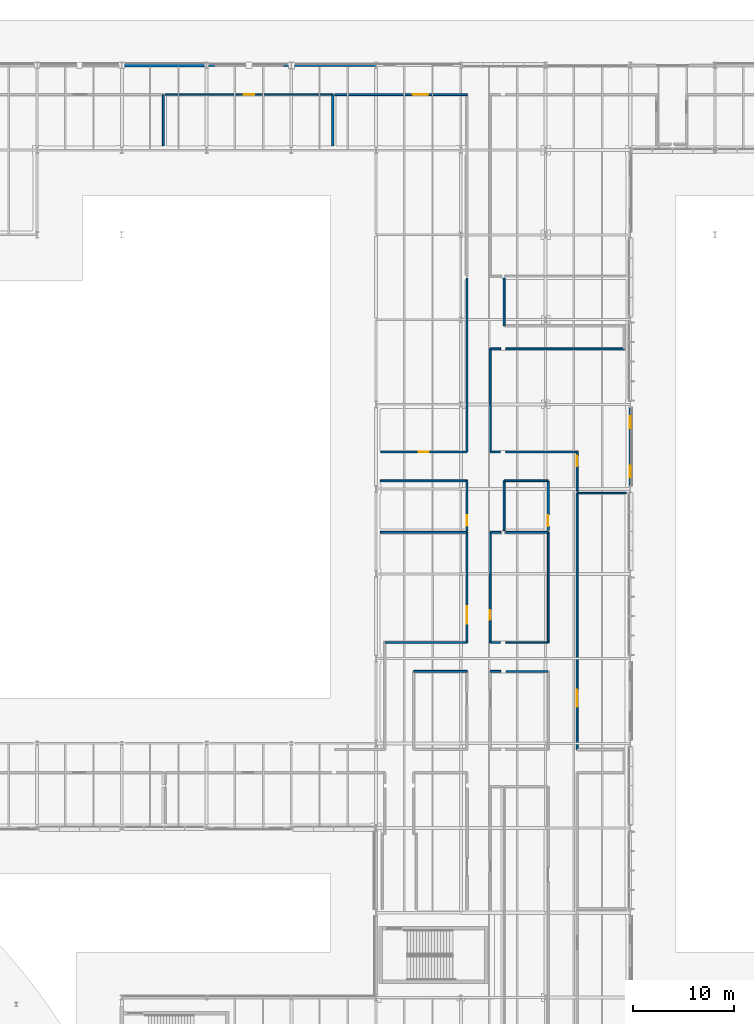
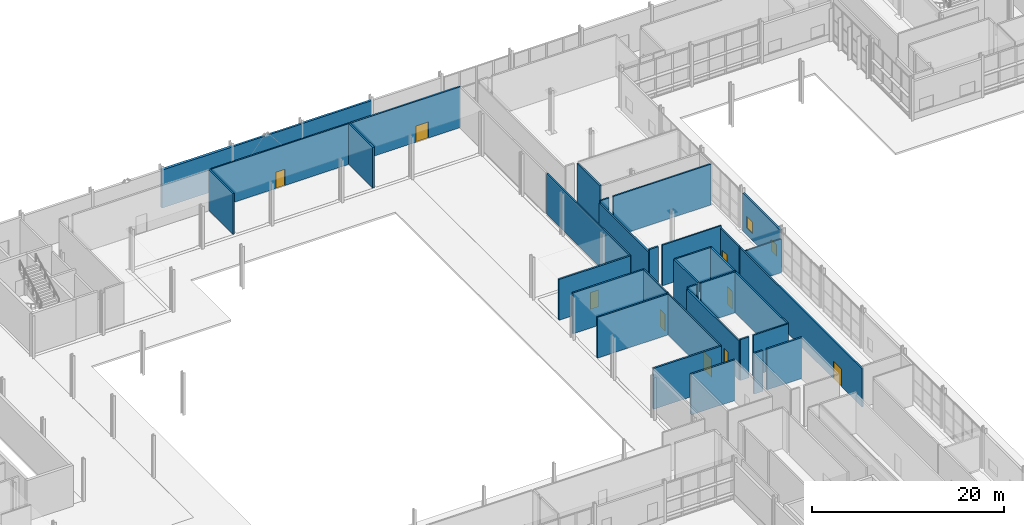
# One storey, part 90 of 124: 36 walls, 9 doors, 2 windows, 11 openings.
"""IFC4 building model written with IfcOpenShell, lengths in metres."""

from ifc_helpers import new_model, si_unit, direction, frame, frame_2d, origin, place, context, subcontext, project, spatial, rectangle, extrude, material, layer, layer_set, type_object, element, fill, save


model = new_model("IFC4")

# Units and contexts
model_context = context("Model", 3, precision=1e-05, world=origin(), true_north=direction((0.0, 1.0)))
body_context = subcontext(model_context, "Body", "Model", "MODEL_VIEW")
ifc_project = project(units=[si_unit("LENGTHUNIT", "METRE"), si_unit("AREAUNIT", "SQUARE_METRE"), si_unit("VOLUMEUNIT", "CUBIC_METRE"), si_unit("PLANEANGLEUNIT", "RADIAN"), si_unit("MASSUNIT", "GRAM", prefix="KILO")], contexts=[model_context])

# Site, building, storey
site_placement = place(None, origin())
site = spatial("IfcSite", under=ifc_project, at=site_placement, CompositionType="ELEMENT")
building_placement = place(site_placement, origin())
building = spatial("IfcBuilding", under=site, at=building_placement, Name="Mersafa Astral City Hall", CompositionType="ELEMENT")
storey_placement = place(building_placement, origin())
storey = spatial("IfcBuildingStorey", under=building, at=storey_placement, Name="L00", CompositionType="ELEMENT", Elevation=0.0)

# Wall
ifc_material_1 = material(Name="Precast concrete C40/50 insulated terracotta spandrel", Category="masonry")
ifc_layer_1 = layer(ifc_material_1, 0.235107421875, Name="Precast concrete C40/50 insulated terracotta spandrel")
ifc_layer_set_1 = layer_set([ifc_layer_1], Name="Precast concrete C40/50 insulated terracotta spandrel — ENV-WAL-EXT-235")
wall_type_1 = type_object("IfcWallType", Name="ENV-WAL-EXT-235", PredefinedType="STANDARD", material=ifc_layer_set_1)
wall_1_placement = place(storey_placement, frame((83.991943359375, 126.0, 0.0), z_axis=(0.0, 0.0, 1.0), x_axis=(-1.0, 0.0, 0.0)))
element("IfcWall", 1, at=wall_1_placement, inside=storey, type_object=wall_type_1, Name="L00 Limestone-clad exterior wall 47", PredefinedType="STANDARD", context=body_context, shape_type="SweptSolid", body=[
    extrude(rectangle(XDim=8.384033203125, YDim=0.235107421875, at=frame_2d((4.19189453125, 0.0))), origin(), (0.0, 0.0, 1.0), 4.797119140625),
])

# Wall, openings, windows
ifc_layer_2 = layer(ifc_material_1, 0.25, Name="Precast concrete C40/50 insulated terracotta spandrel")
ifc_layer_set_2 = layer_set([ifc_layer_2], Name="Precast concrete C40/50 insulated terracotta spandrel — ENV-WAL-EXT-250")
wall_type_2 = type_object("IfcWallType", Name="ENV-WAL-EXT-250", PredefinedType="STANDARD", material=ifc_layer_set_2)
wall_2_placement = place(storey_placement, frame((117.60009765625, 84.321044921875, 0.0), z_axis=(0.0, 0.0, 1.0), x_axis=(0.0, 1.0, 0.0)))
wall_2 = element("IfcWall", 2, at=wall_2_placement, inside=storey, type_object=wall_type_2, Name="L00 Limestone-clad exterior wall 22", PredefinedType="STANDARD", context=body_context, shape_type="SweptSolid", body=[
    extrude(rectangle(XDim=7.758056640625, YDim=0.25, at=frame_2d((3.87890625, 0.0))), origin(), (0.0, 0.0, 1.0), 4.797119140625),
])
opening_1_placement = place(wall_2_placement, frame((0.85009765625, 0.0, 0.89990234375)))
opening_1 = element("IfcOpeningElement", 3, at=opening_1_placement, cuts=wall_2, Name="Opening W-22", PredefinedType="OPENING", context=body_context, shape_type="SweptSolid", body=[
    extrude(rectangle(XDim=1.1201171875, YDim=1.449951171875, at=frame_2d((0.56005859375, 0.72509765625))), frame((0.0, 0.135009765625, 0.0), z_axis=(0.0, -1.0, 0.0), x_axis=(1.0, 0.0, 0.0)), (0.0, 0.0, 1.0), 0.27001953125),
])
opening_2_placement = place(wall_2_placement, frame((5.68798828125, 0.0, 0.89990234375)))
opening_2 = element("IfcOpeningElement", 4, at=opening_2_placement, cuts=wall_2, Name="Opening W-23", PredefinedType="OPENING", context=body_context, shape_type="SweptSolid", body=[
    extrude(rectangle(XDim=1.219970703125, YDim=1.449951171875, at=frame_2d((0.60986328125, 0.72509765625))), frame((0.0, 0.135009765625, 0.0), z_axis=(0.0, -1.0, 0.0), x_axis=(1.0, 0.0, 0.0)), (0.0, 0.0, 1.0), 0.27001953125),
])
ifc_material_2 = material(Name="Solar control low-e double glazing in bronze frame", Category="glass")
window_type_1 = type_object("IfcWindowType", Name="ENV-WIN-W-22", PartitioningType="SINGLE_PANEL", PredefinedType="WINDOW", material=ifc_material_2)
window_1_placement = place(opening_1_placement, origin())
window_1 = element("IfcWindow", 5, at=window_1_placement, inside=storey, type_object=window_type_1, Name="L00 Solar punched window 22-L", OverallHeight=1.449951171875, OverallWidth=1.1201171875, PartitioningType="SINGLE_PANEL", PredefinedType="WINDOW", context=body_context, shape_type="SweptSolid", body=[
    extrude(rectangle(XDim=1.1201171875, YDim=1.449951171875, at=frame_2d((0.56005859375, 0.72509765625))), frame((0.0, 0.030029296875, 0.0), z_axis=(0.0, -1.0, 0.0), x_axis=(1.0, 0.0, 0.0)), (0.0, 0.0, 1.0), 0.06005859375),
])
fill(opening_1, window_1)
window_type_2 = type_object("IfcWindowType", Name="ENV-WIN-W-23", PartitioningType="SINGLE_PANEL", PredefinedType="WINDOW", material=ifc_material_2)
window_2_placement = place(opening_2_placement, origin())
window_2 = element("IfcWindow", 6, at=window_2_placement, inside=storey, type_object=window_type_2, Name="L00 Solar punched window 22-R", OverallHeight=1.449951171875, OverallWidth=1.219970703125, PartitioningType="SINGLE_PANEL", PredefinedType="WINDOW", context=body_context, shape_type="SweptSolid", body=[
    extrude(rectangle(XDim=1.219970703125, YDim=1.449951171875, at=frame_2d((0.60986328125, 0.72509765625))), frame((0.0, 0.030029296875, 0.0), z_axis=(0.0, -1.0, 0.0), x_axis=(1.0, 0.0, 0.0)), (0.0, 0.0, 1.0), 0.06005859375),
])
fill(opening_2, window_2)

# Walls
wall_3_placement = place(storey_placement, frame((92.39208984375, 126.0, 0.0), z_axis=(0.0, 0.0, 1.0), x_axis=(-1.0, 0.0, 0.0)))
element("IfcWall", 7, at=wall_3_placement, inside=storey, type_object=wall_type_2, Name="L00 Limestone-clad exterior wall 46", PredefinedType="STANDARD", context=body_context, shape_type="SweptSolid", body=[
    extrude(rectangle(XDim=8.384033203125, YDim=0.25, at=frame_2d((4.19189453125, 0.0))), origin(), (0.0, 0.0, 1.0), 4.826904296875),
])
ifc_material_3 = material(Name="Precast concrete C40/50 insulated limestone wall", Category="masonry")
ifc_layer_3 = layer(ifc_material_3, 0.31005859375, Name="Precast concrete C40/50 insulated limestone wall")
ifc_layer_set_3 = layer_set([ifc_layer_3], Name="Precast concrete C40/50 insulated limestone wall — ENV-WAL-EXT-310")
wall_type_3 = type_object("IfcWallType", Name="ENV-WAL-EXT-310", PredefinedType="STANDARD", material=ifc_layer_set_3)
wall_4_placement = place(storey_placement, frame((75.592041015625, 126.0, 0.0), z_axis=(0.0, 0.0, 1.0), x_axis=(-1.0, 0.0, 0.0)))
element("IfcWall", 8, at=wall_4_placement, inside=storey, type_object=wall_type_3, Name="L00 Limestone-clad exterior wall 48", PredefinedType="STANDARD", context=body_context, shape_type="SweptSolid", body=[
    extrude(rectangle(XDim=8.384033203125, YDim=0.31005859375, at=frame_2d((4.19189453125, 0.0))), origin(), (0.0, 0.0, 1.0), 4.826904296875),
])
ifc_material_4 = material(Name="Fire-rated gypsum stud partition", Category="gypsum")
ifc_layer_4 = layer(ifc_material_4, 0.1650390625, Name="Fire-rated gypsum stud partition")
ifc_layer_set_4 = layer_set([ifc_layer_4], Name="Fire-rated gypsum stud partition — INT-WAL-PART-EI60-165")
wall_type_4 = type_object("IfcWallType", Name="INT-WAL-PART-EI60-165", PredefinedType="STANDARD", material=ifc_layer_set_4)
wall_5_placement = place(storey_placement, frame((112.330078125, 83.60009765625, -0.00390625), z_axis=(0.0, 0.0, 1.0), x_axis=(1.0, 0.0, 0.0)))
element("IfcWall", 9, at=wall_5_placement, inside=storey, type_object=wall_type_4, Name="L00 Interior partition wall 115", PredefinedType="STANDARD", context=body_context, shape_type="SweptSolid", body=[
    extrude(rectangle(XDim=4.849853515625, YDim=0.1650390625, at=frame_2d((2.4248046875, 0.0))), origin(), (0.0, 0.0, 1.0), 4.260986328125),
])
wall_6_placement = place(storey_placement, frame((112.330078125, 87.679931640625, -0.00390625), z_axis=(0.0, 0.0, 1.0), x_axis=(-1.0, 0.0, 0.0)))
element("IfcWall", 10, at=wall_6_placement, inside=storey, type_object=wall_type_4, Name="L00 Interior partition wall 135", PredefinedType="STANDARD", context=body_context, shape_type="SweptSolid", body=[
    extrude(rectangle(XDim=7.070068359375, YDim=0.1650390625, at=frame_2d((3.53515625, 0.0))), origin(), (0.0, 0.0, 1.0), 5.178955078125),
])

# Wall, opening, door
wall_7_placement = place(storey_placement, frame((101.419921875, 79.7099609375, -0.00390625), z_axis=(0.0, 0.0, 1.0), x_axis=(0.0, -1.0, 0.0)))
wall_7 = element("IfcWall", 11, at=wall_7_placement, inside=storey, type_object=wall_type_4, Name="L00 Interior partition wall 163", PredefinedType="STANDARD", context=body_context, shape_type="SweptSolid", body=[
    extrude(rectangle(XDim=10.929931640625, YDim=0.1650390625, at=frame_2d((5.46484375, 0.0))), origin(), (0.0, 0.0, 1.0), 5.178955078125),
])
opening_3_placement = place(wall_7_placement, frame((7.33740234375, 0.0, 0.0)))
opening_3 = element("IfcOpeningElement", 12, at=opening_3_placement, cuts=wall_7, Name="Opening D-36", PredefinedType="OPENING", context=body_context, shape_type="SweptSolid", body=[
    extrude(rectangle(XDim=1.719970703125, YDim=2.300048828125, at=frame_2d((0.85986328125, 1.14990234375))), frame((0.0, 0.092529296875, 0.0), z_axis=(0.0, -1.0, 0.0), x_axis=(1.0, 0.0, 0.0)), (0.0, 0.0, 1.0), 0.18505859375),
])
ifc_material_5 = material(Name="Cedar veneered acoustic fire-rated timber door", Category="wood")
door_type_1 = type_object("IfcDoorType", Name="INT-DR-RM-D-36", OperationType="NOTDEFINED", PredefinedType="DOOR", material=ifc_material_5)
door_1_placement = place(opening_3_placement, origin())
door_1 = element("IfcDoor", 13, at=door_1_placement, inside=storey, type_object=door_type_1, Name="L00 Public Restroom L00-10 Entrance Door", OperationType="SINGLE_SWING_RIGHT", OverallHeight=2.300048828125, OverallWidth=1.719970703125, PredefinedType="DOOR", context=body_context, shape_type="SweptSolid", body=[
    extrude(rectangle(XDim=1.719970703125, YDim=2.300048828125, at=frame_2d((0.85986328125, 1.14990234375))), frame((0.0, 0.02490234375, 0.0), z_axis=(0.0, -1.0, 0.0), x_axis=(1.0, 0.0, 0.0)), (0.0, 0.0, 1.0), 0.050048828125),
])
fill(opening_3, door_1)

wall_8_placement = place(storey_placement, frame((71.489990234375, 123.10009765625, -0.00390625), z_axis=(0.0, 0.0, 1.0), x_axis=(1.0, 0.0, 0.0)))
wall_8 = element("IfcWall", 14, at=wall_8_placement, inside=storey, type_object=wall_type_4, Name="L00 Interior partition wall 179", PredefinedType="STANDARD", context=body_context, shape_type="SweptSolid", body=[
    extrude(rectangle(XDim=16.6201171875, YDim=0.1650390625, at=frame_2d((8.31005859375, 0.0))), origin(), (0.0, 0.0, 1.0), 5.178955078125),
])
opening_4_placement = place(wall_8_placement, frame((7.7900390625, 0.0, 0.0)))
opening_4 = element("IfcOpeningElement", 15, at=opening_4_placement, cuts=wall_8, Name="Opening D-03", PredefinedType="OPENING", context=body_context, shape_type="SweptSolid", body=[
    extrude(rectangle(XDim=1.0400390625, YDim=2.06005859375, at=frame_2d((0.52001953125, 1.030029296875))), frame((0.0, 0.092529296875, 0.0), z_axis=(0.0, -1.0, 0.0), x_axis=(1.0, 0.0, 0.0)), (0.0, 0.0, 1.0), 0.18505859375),
])
door_type_2 = type_object("IfcDoorType", Name="INT-DR-RM-D-03", OperationType="NOTDEFINED", PredefinedType="DOOR", material=ifc_material_5)
door_2_placement = place(opening_4_placement, origin())
door_2 = element("IfcDoor", 16, at=door_2_placement, inside=storey, type_object=door_type_2, Name="L00 Fire Command Room Entrance Door", OperationType="SINGLE_SWING_LEFT", OverallHeight=2.06005859375, OverallWidth=1.0400390625, PredefinedType="DOOR", context=body_context, shape_type="SweptSolid", body=[
    extrude(rectangle(XDim=1.0400390625, YDim=2.06005859375, at=frame_2d((0.52001953125, 1.030029296875))), frame((0.0, 0.02490234375, 0.0), z_axis=(0.0, -1.0, 0.0), x_axis=(1.0, 0.0, 0.0)), (0.0, 0.0, 1.0), 0.050048828125),
])
fill(opening_4, door_2)

# Walls
wall_9_placement = place(storey_placement, frame((109.469970703125, 68.780029296875, -0.00390625), z_axis=(0.0, 0.0, 1.0), x_axis=(-1.0, 0.0, 0.0)))
element("IfcWall", 17, at=wall_9_placement, inside=storey, type_object=wall_type_4, Name="L00 Interior partition wall 207", PredefinedType="STANDARD", context=body_context, shape_type="SweptSolid", body=[
    extrude(rectangle(XDim=4.2099609375, YDim=0.1650390625, at=frame_2d((2.10498046875, 0.0))), origin(), (0.0, 0.0, 1.0), 5.178955078125),
])
wall_10_placement = place(storey_placement, frame((101.419921875, 104.909912109375, -0.00390625), z_axis=(0.0, 0.0, 1.0), x_axis=(0.0, -1.0, 0.0)))
element("IfcWall", 18, at=wall_10_placement, inside=storey, type_object=wall_type_4, Name="L00 Interior partition wall 211", PredefinedType="STANDARD", context=body_context, shape_type="SweptSolid", body=[
    extrude(rectangle(XDim=17.22998046875, YDim=0.1650390625, at=frame_2d((8.614990234375, 0.0))), origin(), (0.0, 0.0, 1.0), 5.178955078125),
])

# Wall, opening, door
ifc_material_6 = material(Name="Acoustic twin-stud gypsum partition", Category="gypsum")
ifc_layer_5 = layer(ifc_material_6, 0.179931640625, Name="Acoustic twin-stud gypsum partition")
ifc_layer_set_5 = layer_set([ifc_layer_5], Name="Acoustic twin-stud gypsum partition — INT-WAL-PART-EI60-180")
wall_type_5 = type_object("IfcWallType", Name="INT-WAL-PART-EI60-180", PredefinedType="STANDARD", material=ifc_layer_set_5)
wall_11_placement = place(storey_placement, frame((112.330078125, 58.179931640625, -0.00390625), z_axis=(0.0, 0.0, 1.0), x_axis=(0.0, 1.0, 0.0)))
wall_11 = element("IfcWall", 19, at=wall_11_placement, inside=storey, type_object=wall_type_5, Name="L00 Interior partition wall 114", PredefinedType="STANDARD", context=body_context, shape_type="SweptSolid", body=[
    extrude(rectangle(XDim=25.420166015625, YDim=0.179931640625, at=frame_2d((12.7099609375, 0.0))), origin(), (0.0, 0.0, 1.0), 4.86083984375),
])
opening_5_placement = place(wall_11_placement, frame((4.22412109375, 0.0, 0.0)))
opening_5 = element("IfcOpeningElement", 20, at=opening_5_placement, cuts=wall_11, Name="Opening D-27", PredefinedType="OPENING", context=body_context, shape_type="SweptSolid", body=[
    extrude(rectangle(XDim=1.719970703125, YDim=2.219970703125, at=frame_2d((0.85986328125, 1.10986328125))), frame((0.0, 0.099853515625, 0.0), z_axis=(0.0, -1.0, 0.0), x_axis=(1.0, 0.0, 0.0)), (0.0, 0.0, 1.0), 0.199951171875),
])
door_type_3 = type_object("IfcDoorType", Name="INT-DR-RM-D-27", OperationType="NOTDEFINED", PredefinedType="DOOR", material=ifc_material_5)
door_3_placement = place(opening_5_placement, origin())
door_3 = element("IfcDoor", 21, at=door_3_placement, inside=storey, type_object=door_type_3, Name="L00 Public Hall Entrance Door", OperationType="SINGLE_SWING_LEFT", OverallHeight=2.219970703125, OverallWidth=1.719970703125, PredefinedType="DOOR", context=body_context, shape_type="SweptSolid", body=[
    extrude(rectangle(XDim=1.719970703125, YDim=2.219970703125, at=frame_2d((0.85986328125, 1.10986328125))), frame((0.0, 0.02490234375, 0.0), z_axis=(0.0, -1.0, 0.0), x_axis=(1.0, 0.0, 0.0)), (0.0, 0.0, 1.0), 0.050048828125),
])
fill(opening_5, door_3)

# Wall
wall_12_placement = place(storey_placement, frame((105.260009765625, 97.89990234375, -0.00390625), z_axis=(0.0, 0.0, 1.0), x_axis=(1.0, 0.0, 0.0)))
element("IfcWall", 22, at=wall_12_placement, inside=storey, type_object=wall_type_5, Name="L00 Interior partition wall 130", PredefinedType="STANDARD", context=body_context, shape_type="SweptSolid", body=[
    extrude(rectangle(XDim=11.719970703125, YDim=0.179931640625, at=frame_2d((5.85986328125, 0.0))), origin(), (0.0, 0.0, 1.0), 5.178955078125),
])

# Wall, opening, door
wall_13_placement = place(storey_placement, frame((112.330078125, 83.800048828125, -0.00390625), z_axis=(0.0, 0.0, 1.0), x_axis=(0.0, 1.0, 0.0)))
wall_13 = element("IfcWall", 23, at=wall_13_placement, inside=storey, type_object=wall_type_5, Name="L00 Interior partition wall 134", PredefinedType="STANDARD", context=body_context, shape_type="SweptSolid", body=[
    extrude(rectangle(XDim=3.8798828125, YDim=0.179931640625, at=frame_2d((1.93994140625, 0.0))), origin(), (0.0, 0.0, 1.0), 4.890869140625),
])
opening_6_placement = place(wall_13_placement, frame((2.47998046875, 0.0, 0.0)))
opening_6 = element("IfcOpeningElement", 24, at=opening_6_placement, cuts=wall_13, Name="Opening D-30", PredefinedType="OPENING", context=body_context, shape_type="SweptSolid", body=[
    extrude(rectangle(XDim=1.0400390625, YDim=2.300048828125, at=frame_2d((0.52001953125, 1.14990234375))), frame((0.0, 0.099853515625, 0.0), z_axis=(0.0, -1.0, 0.0), x_axis=(1.0, 0.0, 0.0)), (0.0, 0.0, 1.0), 0.199951171875),
])
door_type_4 = type_object("IfcDoorType", Name="INT-DR-RM-D-30", OperationType="NOTDEFINED", PredefinedType="DOOR", material=ifc_material_5)
door_4_placement = place(opening_6_placement, origin())
door_4 = element("IfcDoor", 25, at=door_4_placement, inside=storey, type_object=door_type_4, Name="L00 Public Hearings Auditorium L00-04 Entrance Door", OperationType="SINGLE_SWING_RIGHT", OverallHeight=2.300048828125, OverallWidth=1.0400390625, PredefinedType="DOOR", context=body_context, shape_type="SweptSolid", body=[
    extrude(rectangle(XDim=1.0400390625, YDim=2.300048828125, at=frame_2d((0.52001953125, 1.14990234375))), frame((0.0, 0.02490234375, 0.0), z_axis=(0.0, -1.0, 0.0), x_axis=(1.0, 0.0, 0.0)), (0.0, 0.0, 1.0), 0.050048828125),
])
fill(opening_6, door_4)

# Walls
wall_14_placement = place(storey_placement, frame((103.699951171875, 97.89990234375, -0.00390625), z_axis=(0.0, 0.0, 1.0), x_axis=(1.0, 0.0, 0.0)))
element("IfcWall", 26, at=wall_14_placement, inside=storey, type_object=wall_type_5, Name="L00 Interior partition wall 138", PredefinedType="STANDARD", context=body_context, shape_type="SweptSolid", body=[
    extrude(rectangle(XDim=1.0400390625, YDim=0.179931640625, at=frame_2d((0.52001953125, 0.0))), origin(), (0.0, 0.0, 1.0), 5.178955078125),
])
wall_15_placement = place(storey_placement, frame((92.820068359375, 79.7099609375, -0.00390625), z_axis=(0.0, 0.0, 1.0), x_axis=(1.0, 0.0, 0.0)))
element("IfcWall", 27, at=wall_15_placement, inside=storey, type_object=wall_type_5, Name="L00 Interior partition wall 162", PredefinedType="STANDARD", context=body_context, shape_type="SweptSolid", body=[
    extrude(rectangle(XDim=8.599853515625, YDim=0.179931640625, at=frame_2d((4.2998046875, 0.0))), origin(), (0.0, 0.0, 1.0), 5.178955078125),
])
wall_16_placement = place(storey_placement, frame((109.469970703125, 79.7099609375, -0.00390625), z_axis=(0.0, 0.0, 1.0), x_axis=(0.0, -1.0, 0.0)))
element("IfcWall", 28, at=wall_16_placement, inside=storey, type_object=wall_type_5, Name="L00 Interior partition wall 206", PredefinedType="STANDARD", context=body_context, shape_type="SweptSolid", body=[
    extrude(rectangle(XDim=10.929931640625, YDim=0.179931640625, at=frame_2d((5.46484375, 0.0))), origin(), (0.0, 0.0, 1.0), 5.178955078125),
])
wall_17_placement = place(storey_placement, frame((103.699951171875, 79.7099609375, -0.00390625), z_axis=(0.0, 0.0, 1.0), x_axis=(1.0, 0.0, 0.0)))
element("IfcWall", 29, at=wall_17_placement, inside=storey, type_object=wall_type_5, Name="L00 Interior partition wall 210", PredefinedType="STANDARD", context=body_context, shape_type="SweptSolid", body=[
    extrude(rectangle(XDim=1.0400390625, YDim=0.179931640625, at=frame_2d((0.52001953125, 0.0))), origin(), (0.0, 0.0, 1.0), 5.178955078125),
])

# Wall, opening, door
wall_18_placement = place(storey_placement, frame((101.419921875, 84.820068359375, -0.00390625), z_axis=(0.0, 0.0, 1.0), x_axis=(0.0, -1.0, 0.0)))
wall_18 = element("IfcWall", 30, at=wall_18_placement, inside=storey, type_object=wall_type_5, Name="L00 Interior partition wall 214", PredefinedType="STANDARD", context=body_context, shape_type="SweptSolid", body=[
    extrude(rectangle(XDim=4.93017578125, YDim=0.179931640625, at=frame_2d((2.465087890625, 0.0))), origin(), (0.0, 0.0, 1.0), 5.178955078125),
])
opening_7_placement = place(wall_18_placement, frame((3.424072265625, 0.0, 0.0)))
opening_7 = element("IfcOpeningElement", 31, at=opening_7_placement, cuts=wall_18, Name="Opening D-12", PredefinedType="OPENING", context=body_context, shape_type="SweptSolid", body=[
    extrude(rectangle(XDim=1.0400390625, YDim=2.139892578125, at=frame_2d((0.52001953125, 1.06982421875))), frame((0.0, 0.099853515625, 0.0), z_axis=(0.0, -1.0, 0.0), x_axis=(1.0, 0.0, 0.0)), (0.0, 0.0, 1.0), 0.199951171875),
])
door_type_5 = type_object("IfcDoorType", Name="INT-DR-RM-D-12", OperationType="NOTDEFINED", PredefinedType="DOOR", material=ifc_material_5)
door_5_placement = place(opening_7_placement, origin())
door_5 = element("IfcDoor", 32, at=door_5_placement, inside=storey, type_object=door_type_5, Name="L00 Municipal Licensing Counter Hall L00-22 Entrance Door", OperationType="SINGLE_SWING_RIGHT", OverallHeight=2.139892578125, OverallWidth=1.0400390625, PredefinedType="DOOR", context=body_context, shape_type="SweptSolid", body=[
    extrude(rectangle(XDim=1.0400390625, YDim=2.139892578125, at=frame_2d((0.52001953125, 1.06982421875))), frame((0.0, 0.02490234375, 0.0), z_axis=(0.0, -1.0, 0.0), x_axis=(1.0, 0.0, 0.0)), (0.0, 0.0, 1.0), 0.050048828125),
])
fill(opening_7, door_5)

# Walls
wall_19_placement = place(storey_placement, frame((105.090087890625, 84.820068359375, -0.00390625), z_axis=(0.0, 0.0, 1.0), x_axis=(1.0, 0.0, 0.0)))
element("IfcWall", 33, at=wall_19_placement, inside=storey, type_object=wall_type_5, Name="L00 Interior partition wall 258", PredefinedType="STANDARD", context=body_context, shape_type="SweptSolid", body=[
    extrude(rectangle(XDim=4.3798828125, YDim=0.179931640625, at=frame_2d((2.18994140625, 0.0))), origin(), (0.0, 0.0, 1.0), 5.178955078125),
])
ifc_layer_6 = layer(ifc_material_6, 0.195068359375, Name="Acoustic twin-stud gypsum partition")
ifc_layer_set_6 = layer_set([ifc_layer_6], Name="Acoustic twin-stud gypsum partition — INT-WAL-PART-EI60-195")
wall_type_6 = type_object("IfcWallType", Name="INT-WAL-PART-EI60-195", PredefinedType="STANDARD", material=ifc_layer_set_6)
wall_20_placement = place(storey_placement, frame((105.090087890625, 100.179931640625, -0.00390625), z_axis=(0.0, 0.0, 1.0), x_axis=(0.0, 1.0, 0.0)))
element("IfcWall", 34, at=wall_20_placement, inside=storey, type_object=wall_type_6, Name="L00 Interior partition wall 133", PredefinedType="STANDARD", context=body_context, shape_type="SweptSolid", body=[
    extrude(rectangle(XDim=4.72998046875, YDim=0.195068359375, at=frame_2d((2.364990234375, 0.0))), origin(), (0.0, 0.0, 1.0), 5.178955078125),
])
wall_21_placement = place(storey_placement, frame((103.699951171875, 87.679931640625, -0.00390625), z_axis=(0.0, 0.0, 1.0), x_axis=(0.0, 1.0, 0.0)))
element("IfcWall", 35, at=wall_21_placement, inside=storey, type_object=wall_type_6, Name="L00 Interior partition wall 137", PredefinedType="STANDARD", context=body_context, shape_type="SweptSolid", body=[
    extrude(rectangle(XDim=10.219970703125, YDim=0.195068359375, at=frame_2d((5.10986328125, 0.0))), origin(), (0.0, 0.0, 1.0), 4.86083984375),
])
wall_22_placement = place(storey_placement, frame((71.31005859375, 123.10009765625, -0.00390625), z_axis=(0.0, 0.0, 1.0), x_axis=(0.0, -1.0, 0.0)))
element("IfcWall", 36, at=wall_22_placement, inside=storey, type_object=wall_type_6, Name="L00 Interior partition wall 153", PredefinedType="STANDARD", context=body_context, shape_type="SweptSolid", body=[
    extrude(rectangle(XDim=5.080078125, YDim=0.195068359375, at=frame_2d((2.5400390625, 0.0))), origin(), (0.0, 0.0, 1.0), 5.178955078125),
])

# Wall, opening, door
wall_23_placement = place(storey_placement, frame((88.2900390625, 123.10009765625, -0.00390625), z_axis=(0.0, 0.0, 1.0), x_axis=(1.0, 0.0, 0.0)))
wall_23 = element("IfcWall", 37, at=wall_23_placement, inside=storey, type_object=wall_type_6, Name="L00 Interior partition wall 197", PredefinedType="STANDARD", context=body_context, shape_type="SweptSolid", body=[
    extrude(rectangle(XDim=13.1298828125, YDim=0.195068359375, at=frame_2d((6.56494140625, 0.0))), origin(), (0.0, 0.0, 1.0), 5.178955078125),
])
opening_8_placement = place(wall_23_placement, frame((7.764404296875, 0.0, 0.0)))
opening_8 = element("IfcOpeningElement", 38, at=opening_8_placement, cuts=wall_23, Name="Opening D-08", PredefinedType="OPENING", context=body_context, shape_type="SweptSolid", body=[
    extrude(rectangle(XDim=1.5400390625, YDim=2.06005859375, at=frame_2d((0.77001953125, 1.030029296875))), frame((0.0, 0.107421875, 0.0), z_axis=(0.0, -1.0, 0.0), x_axis=(1.0, 0.0, 0.0)), (0.0, 0.0, 1.0), 0.215087890625),
])
door_type_6 = type_object("IfcDoorType", Name="INT-DR-RM-D-08", OperationType="NOTDEFINED", PredefinedType="DOOR", material=ifc_material_5)
door_6_placement = place(opening_8_placement, origin())
door_6 = element("IfcDoor", 39, at=door_6_placement, inside=storey, type_object=door_type_6, Name="L00 Public Information & Wayfinding Salon L00-18 Entrance Door", OperationType="SINGLE_SWING_RIGHT", OverallHeight=2.06005859375, OverallWidth=1.5400390625, PredefinedType="DOOR", context=body_context, shape_type="SweptSolid", body=[
    extrude(rectangle(XDim=1.5400390625, YDim=2.06005859375, at=frame_2d((0.77001953125, 1.030029296875))), frame((0.0, 0.02490234375, 0.0), z_axis=(0.0, -1.0, 0.0), x_axis=(1.0, 0.0, 0.0)), (0.0, 0.0, 1.0), 0.050048828125),
])
fill(opening_8, door_6)

# Wall
wall_24_placement = place(storey_placement, frame((105.260009765625, 79.7099609375, -0.00390625), z_axis=(0.0, 0.0, 1.0), x_axis=(1.0, 0.0, 0.0)))
element("IfcWall", 40, at=wall_24_placement, inside=storey, type_object=wall_type_6, Name="L00 Interior partition wall 205", PredefinedType="STANDARD", context=body_context, shape_type="SweptSolid", body=[
    extrude(rectangle(XDim=4.2099609375, YDim=0.195068359375, at=frame_2d((2.10498046875, 0.0))), origin(), (0.0, 0.0, 1.0), 5.178955078125),
])

# Wall, opening, door
wall_25_placement = place(storey_placement, frame((103.699951171875, 68.780029296875, -0.00390625), z_axis=(0.0, 0.0, 1.0), x_axis=(0.0, 1.0, 0.0)))
wall_25 = element("IfcWall", 41, at=wall_25_placement, inside=storey, type_object=wall_type_6, Name="L00 Interior partition wall 209", PredefinedType="STANDARD", context=body_context, shape_type="SweptSolid", body=[
    extrude(rectangle(XDim=10.929931640625, YDim=0.195068359375, at=frame_2d((5.46484375, 0.0))), origin(), (0.0, 0.0, 1.0), 4.94091796875),
])
opening_9_placement = place(wall_25_placement, frame((2.2724609375, 0.0, 0.0)))
opening_9 = element("IfcOpeningElement", 42, at=opening_9_placement, cuts=wall_25, Name="Opening D-10", PredefinedType="OPENING", context=body_context, shape_type="SweptSolid", body=[
    extrude(rectangle(XDim=0.919921875, YDim=2.139892578125, at=frame_2d((0.4599609375, 1.06982421875))), frame((0.0, 0.107421875, 0.0), z_axis=(0.0, -1.0, 0.0), x_axis=(1.0, 0.0, 0.0)), (0.0, 0.0, 1.0), 0.215087890625),
])
door_type_7 = type_object("IfcDoorType", Name="INT-DR-RM-D-10", OperationType="NOTDEFINED", PredefinedType="DOOR", material=ifc_material_5)
door_7_placement = place(opening_9_placement, origin())
door_7 = element("IfcDoor", 43, at=door_7_placement, inside=storey, type_object=door_type_7, Name="L00 Public Restroom L00-20 Entrance Door", OperationType="SINGLE_SWING_RIGHT", OverallHeight=2.139892578125, OverallWidth=0.919921875, PredefinedType="DOOR", context=body_context, shape_type="SweptSolid", body=[
    extrude(rectangle(XDim=0.919921875, YDim=2.139892578125, at=frame_2d((0.4599609375, 1.06982421875))), frame((0.0, 0.02490234375, 0.0), z_axis=(0.0, -1.0, 0.0), x_axis=(1.0, 0.0, 0.0)), (0.0, 0.0, 1.0), 0.050048828125),
])
fill(opening_9, door_7)

# Walls
wall_26_placement = place(storey_placement, frame((92.820068359375, 84.820068359375, -0.00390625), z_axis=(0.0, 0.0, 1.0), x_axis=(1.0, 0.0, 0.0)))
element("IfcWall", 44, at=wall_26_placement, inside=storey, type_object=wall_type_6, Name="L00 Interior partition wall 213", PredefinedType="STANDARD", context=body_context, shape_type="SweptSolid", body=[
    extrude(rectangle(XDim=8.599853515625, YDim=0.195068359375, at=frame_2d((4.2998046875, 0.0))), origin(), (0.0, 0.0, 1.0), 5.178955078125),
])
wall_27_placement = place(storey_placement, frame((96.1298828125, 65.919921875, -0.00390625), z_axis=(0.0, 0.0, 1.0), x_axis=(1.0, 0.0, 0.0)))
element("IfcWall", 45, at=wall_27_placement, inside=storey, type_object=wall_type_6, Name="L00 Interior partition wall 217", PredefinedType="STANDARD", context=body_context, shape_type="SweptSolid", body=[
    extrude(rectangle(XDim=5.2900390625, YDim=0.195068359375, at=frame_2d((2.64501953125, 0.0))), origin(), (0.0, 0.0, 1.0), 5.178955078125),
])
wall_28_placement = place(storey_placement, frame((103.699951171875, 65.919921875, -0.00390625), z_axis=(0.0, 0.0, 1.0), x_axis=(1.0, 0.0, 0.0)))
element("IfcWall", 46, at=wall_28_placement, inside=storey, type_object=wall_type_6, Name="L00 Interior partition wall 245", PredefinedType="STANDARD", context=body_context, shape_type="SweptSolid", body=[
    extrude(rectangle(XDim=1.0400390625, YDim=0.195068359375, at=frame_2d((0.52001953125, 0.0))), origin(), (0.0, 0.0, 1.0), 5.178955078125),
])
wall_29_placement = place(storey_placement, frame((105.090087890625, 79.889892578125, -0.00390625), z_axis=(0.0, 0.0, 1.0), x_axis=(0.0, 1.0, 0.0)))
element("IfcWall", 47, at=wall_29_placement, inside=storey, type_object=wall_type_6, Name="L00 Interior partition wall 257", PredefinedType="STANDARD", context=body_context, shape_type="SweptSolid", body=[
    extrude(rectangle(XDim=4.93017578125, YDim=0.195068359375, at=frame_2d((2.465087890625, 0.0))), origin(), (0.0, 0.0, 1.0), 5.178955078125),
])
ifc_material_7 = material(Name="Autoclaved aerated concrete blockwork plastered", Category="masonry")
ifc_layer_7 = layer(ifc_material_7, 0.2099609375, Name="Autoclaved aerated concrete blockwork plastered")
ifc_layer_set_7 = layer_set([ifc_layer_7], Name="Autoclaved aerated concrete blockwork plastered — INT-WAL-PART-EI60-210")
wall_type_7 = type_object("IfcWallType", Name="INT-WAL-PART-EI60-210", PredefinedType="STANDARD", material=ifc_layer_set_7)
wall_30_placement = place(storey_placement, frame((104.739990234375, 87.679931640625, -0.00390625), z_axis=(0.0, 0.0, 1.0), x_axis=(-1.0, 0.0, 0.0)))
element("IfcWall", 48, at=wall_30_placement, inside=storey, type_object=wall_type_7, Name="L00 Interior partition wall 136", PredefinedType="STANDARD", context=body_context, shape_type="SweptSolid", body=[
    extrude(rectangle(XDim=1.0400390625, YDim=0.2099609375, at=frame_2d((0.52001953125, 0.0))), origin(), (0.0, 0.0, 1.0), 5.178955078125),
])
wall_31_placement = place(storey_placement, frame((101.419921875, 68.780029296875, -0.00390625), z_axis=(0.0, 0.0, 1.0), x_axis=(-1.0, 0.0, 0.0)))
element("IfcWall", 49, at=wall_31_placement, inside=storey, type_object=wall_type_7, Name="L00 Interior partition wall 164", PredefinedType="STANDARD", context=body_context, shape_type="SweptSolid", body=[
    extrude(rectangle(XDim=8.14990234375, YDim=0.2099609375, at=frame_2d((4.074951171875, 0.0))), origin(), (0.0, 0.0, 1.0), 5.178955078125),
])
wall_32_placement = place(storey_placement, frame((88.110107421875, 123.10009765625, -0.00390625), z_axis=(0.0, 0.0, 1.0), x_axis=(0.0, -1.0, 0.0)))
element("IfcWall", 50, at=wall_32_placement, inside=storey, type_object=wall_type_7, Name="L00 Interior partition wall 180", PredefinedType="STANDARD", context=body_context, shape_type="SweptSolid", body=[
    extrude(rectangle(XDim=5.080078125, YDim=0.2099609375, at=frame_2d((2.5400390625, 0.0))), origin(), (0.0, 0.0, 1.0), 5.178955078125),
])
wall_33_placement = place(storey_placement, frame((104.739990234375, 68.780029296875, -0.00390625), z_axis=(0.0, 0.0, 1.0), x_axis=(-1.0, 0.0, 0.0)))
element("IfcWall", 51, at=wall_33_placement, inside=storey, type_object=wall_type_7, Name="L00 Interior partition wall 208", PredefinedType="STANDARD", context=body_context, shape_type="SweptSolid", body=[
    extrude(rectangle(XDim=1.0400390625, YDim=0.2099609375, at=frame_2d((0.52001953125, 0.0))), origin(), (0.0, 0.0, 1.0), 5.178955078125),
])

# Wall, opening, door
wall_34_placement = place(storey_placement, frame((101.419921875, 87.679931640625, -0.00390625), z_axis=(0.0, 0.0, 1.0), x_axis=(-1.0, 0.0, 0.0)))
wall_34 = element("IfcWall", 52, at=wall_34_placement, inside=storey, type_object=wall_type_7, Name="L00 Interior partition wall 212", PredefinedType="STANDARD", context=body_context, shape_type="SweptSolid", body=[
    extrude(rectangle(XDim=8.599853515625, YDim=0.2099609375, at=frame_2d((4.2998046875, 0.0))), origin(), (0.0, 0.0, 1.0), 5.178955078125),
])
opening_10_placement = place(wall_34_placement, frame((3.81005859375, 0.0, 0.0)))
opening_10 = element("IfcOpeningElement", 53, at=opening_10_placement, cuts=wall_34, Name="Opening D-11", PredefinedType="OPENING", context=body_context, shape_type="SweptSolid", body=[
    extrude(rectangle(XDim=0.97998046875, YDim=2.139892578125, at=frame_2d((0.489990234375, 1.06982421875))), frame((0.0, 0.114990234375, 0.0), z_axis=(0.0, -1.0, 0.0), x_axis=(1.0, 0.0, 0.0)), (0.0, 0.0, 1.0), 0.22998046875),
])
door_type_8 = type_object("IfcDoorType", Name="INT-DR-RM-D-11", OperationType="NOTDEFINED", PredefinedType="DOOR", material=ifc_material_5)
door_8_placement = place(opening_10_placement, origin())
door_8 = element("IfcDoor", 54, at=door_8_placement, inside=storey, type_object=door_type_8, Name="L00 Citizens Service Centre L00-21 Entrance Door", OperationType="SINGLE_SWING_LEFT", OverallHeight=2.139892578125, OverallWidth=0.97998046875, PredefinedType="DOOR", context=body_context, shape_type="SweptSolid", body=[
    extrude(rectangle(XDim=0.97998046875, YDim=2.139892578125, at=frame_2d((0.489990234375, 1.06982421875))), frame((0.0, 0.02490234375, 0.0), z_axis=(0.0, -1.0, 0.0), x_axis=(1.0, 0.0, 0.0)), (0.0, 0.0, 1.0), 0.050048828125),
])
fill(opening_10, door_8)

# Wall
wall_35_placement = place(storey_placement, frame((105.260009765625, 65.919921875, -0.00390625), z_axis=(0.0, 0.0, 1.0), x_axis=(1.0, 0.0, 0.0)))
element("IfcWall", 55, at=wall_35_placement, inside=storey, type_object=wall_type_7, Name="L00 Interior partition wall 240", PredefinedType="STANDARD", context=body_context, shape_type="SweptSolid", body=[
    extrude(rectangle(XDim=4.2099609375, YDim=0.2099609375, at=frame_2d((2.10498046875, 0.0))), origin(), (0.0, 0.0, 1.0), 5.178955078125),
])

# Wall, opening, door
wall_36_placement = place(storey_placement, frame((109.469970703125, 84.820068359375, -0.00390625), z_axis=(0.0, 0.0, 1.0), x_axis=(0.0, -1.0, 0.0)))
wall_36 = element("IfcWall", 56, at=wall_36_placement, inside=storey, type_object=wall_type_7, Name="L00 Interior partition wall 256", PredefinedType="STANDARD", context=body_context, shape_type="SweptSolid", body=[
    extrude(rectangle(XDim=4.93017578125, YDim=0.2099609375, at=frame_2d((2.465087890625, 0.0))), origin(), (0.0, 0.0, 1.0), 5.178955078125),
])
opening_11_placement = place(wall_36_placement, frame((3.39404296875, 0.0, 0.0)))
opening_11 = element("IfcOpeningElement", 57, at=opening_11_placement, cuts=wall_36, Name="Opening D-22", PredefinedType="OPENING", context=body_context, shape_type="SweptSolid", body=[
    extrude(rectangle(XDim=1.10009765625, YDim=2.219970703125, at=frame_2d((0.550048828125, 1.10986328125))), frame((0.0, 0.114990234375, 0.0), z_axis=(0.0, -1.0, 0.0), x_axis=(1.0, 0.0, 0.0)), (0.0, 0.0, 1.0), 0.22998046875),
])
door_type_9 = type_object("IfcDoorType", Name="INT-DR-RM-D-22", OperationType="NOTDEFINED", PredefinedType="DOOR", material=ifc_material_5)
door_9_placement = place(opening_11_placement, origin())
door_9 = element("IfcDoor", 58, at=door_9_placement, inside=storey, type_object=door_type_9, Name="L00 Public Hearings Auditorium L00-32 Entrance Door", OperationType="SINGLE_SWING_RIGHT", OverallHeight=2.219970703125, OverallWidth=1.10009765625, PredefinedType="DOOR", context=body_context, shape_type="SweptSolid", body=[
    extrude(rectangle(XDim=1.10009765625, YDim=2.219970703125, at=frame_2d((0.550048828125, 1.10986328125))), frame((0.0, 0.02490234375, 0.0), z_axis=(0.0, -1.0, 0.0), x_axis=(1.0, 0.0, 0.0)), (0.0, 0.0, 1.0), 0.050048828125),
])
fill(opening_11, door_9)

save(model, "model.ifc")
